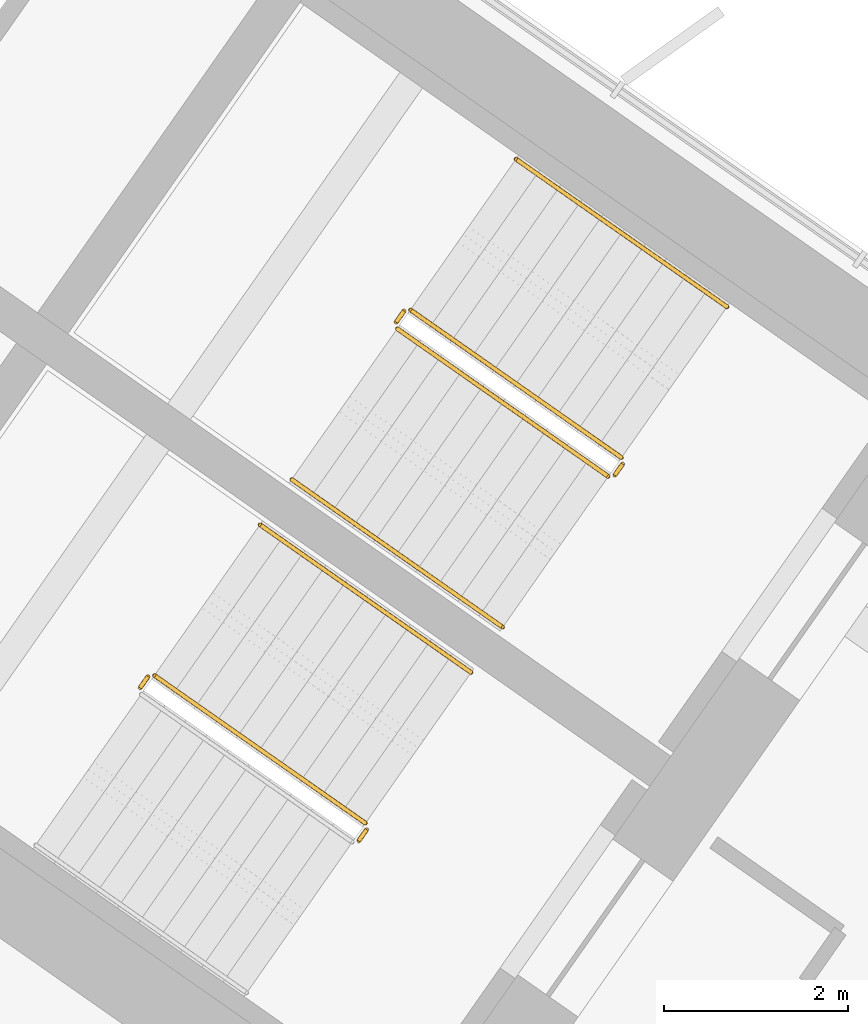
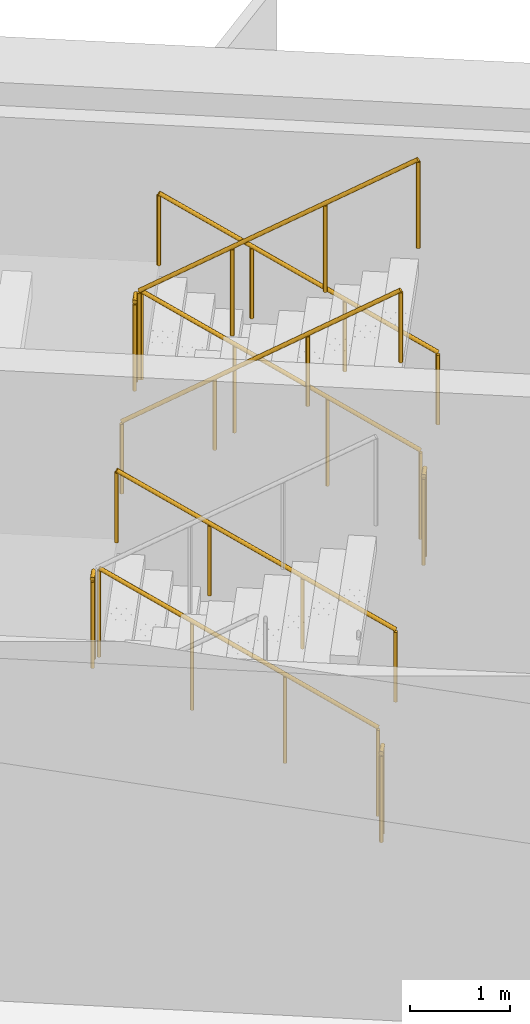
# One storey, part 20 of 21: 10 railings.
"""IFC4 building model written with IfcOpenShell, lengths in metres."""

from ifc_helpers import new_model, si_unit, direction, frame, origin, origin_2d, place, context, subcontext, project, spatial, circle, extrude, material, type_object, element, save


model = new_model("IFC4")

# Units and contexts
model_context = context("Model", 3, precision=1e-05, world=origin(), true_north=direction((0.0, 1.0)))
body_context = subcontext(model_context, "Body", "Model", "MODEL_VIEW")
ifc_project = project(units=[si_unit("LENGTHUNIT", "METRE"), si_unit("AREAUNIT", "SQUARE_METRE"), si_unit("VOLUMEUNIT", "CUBIC_METRE"), si_unit("PLANEANGLEUNIT", "RADIAN"), si_unit("MASSUNIT", "GRAM", prefix="KILO")], contexts=[model_context])

# Site, building, storey
site_placement = place(None, origin())
site = spatial("IfcSite", under=ifc_project, at=site_placement, CompositionType="ELEMENT")
building_placement = place(site_placement, origin())
building = spatial("IfcBuilding", under=site, at=building_placement, Name="Tel Ilan Convention Tower", CompositionType="ELEMENT")
storey_placement = place(building_placement, frame((0.0, 0.0, 151.5)))
storey = spatial("IfcBuildingStorey", under=building, at=storey_placement, Name="L34", CompositionType="ELEMENT", Elevation=151.5)

# Railings
ifc_material_1 = material(Name="Stainless Steel Grade 316", Category="steel")
railing_type_1 = type_object("IfcRailingType", Name="Stainless Steel Stair Guard 1100 mm", PredefinedType="GUARDRAIL", material=ifc_material_1)
railing_1_placement = place(storey_placement, frame((23.6787109375, -7.8515625, 0.17724609375)))
element("IfcRailing", 1, at=railing_1_placement, inside=storey, type_object=railing_type_1, Name="L34 S3 stair guard 1", PredefinedType="GUARDRAIL", context=body_context, shape_type="SweptSolid", body=[
    extrude(circle(Radius=0.02392578125, at=origin_2d()), frame((0.0, 0.0, 1.076171875), z_axis=(-0.692084706163, 0.484621375041, 0.534940073605), x_axis=(-0.573591086599, -0.819141785879, 0.0)), (0.0, 0.0, 1.0), 3.313720703125),
    extrude(circle(Radius=0.02099609375, at=origin_2d()), origin(), (0.0, 0.0, 1.0), 1.052001953125),
    extrude(circle(Radius=0.02099609375, at=origin_2d()), frame((-0.764404296875, 0.535400390625, 0.5908203125)), (0.0, 0.0, 1.0), 1.052001953125),
    extrude(circle(Radius=0.02099609375, at=origin_2d()), frame((-1.529052734375, 1.070556640625, 1.181884765625)), (0.0, 0.0, 1.0), 1.052001953125),
    extrude(circle(Radius=0.02099609375, at=origin_2d()), frame((-2.29345703125, 1.60595703125, 1.772705078125)), (0.0, 0.0, 1.0), 1.052001953125),
])
railing_2_placement = place(storey_placement, frame((21.3154296875, -6.2578125, 1.949951171875)))
element("IfcRailing", 2, at=railing_2_placement, inside=storey, type_object=railing_type_1, Name="L34 S3 stair guard 2", PredefinedType="GUARDRAIL", context=body_context, shape_type="SweptSolid", body=[
    extrude(circle(Radius=0.02392578125, at=origin_2d()), frame((0.0, 0.0, 1.076171875), z_axis=(-0.573353020881, -0.819308436089, 0.0), x_axis=(0.819308436089, -0.573353020881, 0.0)), (0.0, 0.0, 1.0), 0.14990234375),
    extrude(circle(Radius=0.02099609375, at=origin_2d()), origin(), (0.0, 0.0, 1.0), 1.052001953125),
    extrude(circle(Radius=0.02099609375, at=origin_2d()), frame((-0.0859375, -0.122802734375, 0.0)), (0.0, 0.0, 1.0), 1.052001953125),
])
railing_3_placement = place(storey_placement, frame((21.24169921875, -6.4501953125, 2.127197265625)))
element("IfcRailing", 3, at=railing_3_placement, inside=storey, type_object=railing_type_1, Name="L34 S3 stair guard 3", PredefinedType="GUARDRAIL", context=body_context, shape_type="SweptSolid", body=[
    extrude(circle(Radius=0.02392578125, at=origin_2d()), frame((0.0, 0.0, 1.076171875), z_axis=(0.692098378994, -0.484653031975, 0.534893701956), x_axis=(0.573608623498, 0.819129505664, 0.0)), (0.0, 0.0, 1.0), 3.314208984375),
    extrude(circle(Radius=0.02099609375, at=origin_2d()), origin(), (0.0, 0.0, 1.0), 1.052001953125),
    extrude(circle(Radius=0.02099609375, at=origin_2d()), frame((0.7646484375, -0.535400390625, 0.5908203125)), (0.0, 0.0, 1.0), 1.052001953125),
    extrude(circle(Radius=0.02099609375, at=origin_2d()), frame((1.529052734375, -1.07080078125, 1.181884765625)), (0.0, 0.0, 1.0), 1.052001953125),
    extrude(circle(Radius=0.02099609375, at=origin_2d()), frame((2.293701171875, -1.606201171875, 1.772705078125)), (0.0, 0.0, 1.0), 1.052001953125),
])
railing_4_placement = place(storey_placement, frame((23.691162109375, -7.921142578125, 0.0)))
element("IfcRailing", 4, at=railing_4_placement, inside=storey, type_object=railing_type_1, Name="L34 S3 stair guard 4", PredefinedType="GUARDRAIL", context=body_context, shape_type="SweptSolid", body=[
    extrude(circle(Radius=0.02392578125, at=origin_2d()), frame((0.0, 0.0, 1.076171875), z_axis=(-0.574444878118, -0.818543268254, 0.0), x_axis=(0.818543268254, -0.574444878118, 0.0)), (0.0, 0.0, 1.0), 0.150146484375),
    extrude(circle(Radius=0.02099609375, at=origin_2d()), origin(), (0.0, 0.0, 1.0), 1.052001953125),
    extrude(circle(Radius=0.02099609375, at=origin_2d()), frame((-0.086181640625, -0.122802734375, 0.0)), (0.0, 0.0, 1.0), 1.052001953125),
])
railing_5_placement = place(storey_placement, frame((20.89697265625, -11.824462890625, 0.17724609375)))
element("IfcRailing", 5, at=railing_5_placement, inside=storey, type_object=railing_type_1, Name="L34 S4 stair guard 1", PredefinedType="GUARDRAIL", context=body_context, shape_type="SweptSolid", body=[
    extrude(circle(Radius=0.02392578125, at=origin_2d()), frame((0.0, 0.0, 1.076171875), z_axis=(-0.692123088272, 0.484596665743, 0.534912798717), x_axis=(-0.573550118428, -0.819170471667, 0.0)), (0.0, 0.0, 1.0), 3.31396484375),
    extrude(circle(Radius=0.02099609375, at=origin_2d()), origin(), (0.0, 0.0, 1.0), 1.052001953125),
    extrude(circle(Radius=0.02099609375, at=origin_2d()), frame((-0.7646484375, 0.535400390625, 0.5908203125)), (0.0, 0.0, 1.0), 1.052001953125),
    extrude(circle(Radius=0.02099609375, at=origin_2d()), frame((-1.529052734375, 1.070556640625, 1.181884765625)), (0.0, 0.0, 1.0), 1.052001953125),
    extrude(circle(Radius=0.02099609375, at=origin_2d()), frame((-2.293701171875, 1.60595703125, 1.772705078125)), (0.0, 0.0, 1.0), 1.052001953125),
])
for number, where, name in (
    (6, (18.53369140625, -10.230712890625, 1.949951171875), "L34 S4 stair guard 2"),
    (7, (20.9091796875, -11.89404296875, 0.0), "L34 S4 stair guard 4"),
):
    element("IfcRailing", number, at=place(storey_placement, frame(where)), inside=storey, type_object=railing_type_1, Name=name, PredefinedType="GUARDRAIL", context=body_context, shape_type="SweptSolid", body=[
        extrude(circle(Radius=0.02392578125, at=origin_2d()), frame((0.0, 0.0, 1.076171875), z_axis=(-0.573353020881, -0.819308436089, 0.0), x_axis=(0.819308436089, -0.573353020881, 0.0)), (0.0, 0.0, 1.0), 0.14990234375),
        extrude(circle(Radius=0.02099609375, at=origin_2d()), origin(), (0.0, 0.0, 1.0), 1.052001953125),
        extrude(circle(Radius=0.02099609375, at=origin_2d()), frame((-0.0859375, -0.122802734375, 0.0)), (0.0, 0.0, 1.0), 1.052001953125),
    ])
ifc_material_2 = material(Name="Stainless Steel Grade 316", Category="steel")
railing_type_2 = type_object("IfcRailingType", Name="Stainless Steel Stair Handrail 900 mm", PredefinedType="HANDRAIL", material=ifc_material_2)
railing_6_placement = place(storey_placement, frame((24.825927734375, -6.213134765625, 0.17724609375)))
element("IfcRailing", 8, at=railing_6_placement, inside=storey, type_object=railing_type_2, Name="L34 S3 stair handrail 1", PredefinedType="HANDRAIL", context=body_context, shape_type="SweptSolid", body=[
    extrude(circle(Radius=0.02392578125, at=origin_2d()), frame((0.0, 0.0, 0.8759765625), z_axis=(-0.692123088272, 0.484596665743, 0.534912798717), x_axis=(-0.573550118428, -0.819170471667, 0.0)), (0.0, 0.0, 1.0), 3.31396484375),
    extrude(circle(Radius=0.02099609375, at=origin_2d()), origin(), (0.0, 0.0, 1.0), 0.851806640625),
    extrude(circle(Radius=0.02099609375, at=origin_2d()), frame((-0.7646484375, 0.535400390625, 0.5908203125)), (0.0, 0.0, 1.0), 0.851806640625),
    extrude(circle(Radius=0.02099609375, at=origin_2d()), frame((-1.529052734375, 1.070556640625, 1.181884765625)), (0.0, 0.0, 1.0), 0.851806640625),
    extrude(circle(Radius=0.02099609375, at=origin_2d()), frame((-2.293701171875, 1.60595703125, 1.772705078125)), (0.0, 0.0, 1.0), 0.851806640625),
])
railing_7_placement = place(storey_placement, frame((20.0947265625, -8.088623046875, 2.127197265625)))
element("IfcRailing", 9, at=railing_7_placement, inside=storey, type_object=railing_type_2, Name="L34 S3 stair handrail 2", PredefinedType="HANDRAIL", context=body_context, shape_type="SweptSolid", body=[
    extrude(circle(Radius=0.02392578125, at=origin_2d()), frame((0.0, 0.0, 0.8759765625), z_axis=(0.692084706163, -0.484621375041, 0.534940073605), x_axis=(0.573591086599, 0.819141785879, 0.0)), (0.0, 0.0, 1.0), 3.313720703125),
    extrude(circle(Radius=0.02099609375, at=origin_2d()), origin(), (0.0, 0.0, 1.0), 0.851806640625),
    extrude(circle(Radius=0.02099609375, at=origin_2d()), frame((0.764404296875, -0.535400390625, 0.5908203125)), (0.0, 0.0, 1.0), 0.851806640625),
    extrude(circle(Radius=0.02099609375, at=origin_2d()), frame((1.529052734375, -1.070556640625, 1.181884765625)), (0.0, 0.0, 1.0), 0.851806640625),
    extrude(circle(Radius=0.02099609375, at=origin_2d()), frame((2.29345703125, -1.60595703125, 1.772705078125)), (0.0, 0.0, 1.0), 0.851806640625),
])
railing_8_placement = place(storey_placement, frame((22.044189453125, -10.18603515625, 0.17724609375)))
element("IfcRailing", 10, at=railing_8_placement, inside=storey, type_object=railing_type_2, Name="L34 S4 stair handrail 1", PredefinedType="HANDRAIL", context=body_context, shape_type="SweptSolid", body=[
    extrude(circle(Radius=0.02392578125, at=origin_2d()), frame((0.0, 0.0, 0.8759765625), z_axis=(-0.692123088272, 0.484596665743, 0.534912798717), x_axis=(-0.573550118428, -0.819170471667, 0.0)), (0.0, 0.0, 1.0), 3.31396484375),
    extrude(circle(Radius=0.02099609375, at=origin_2d()), origin(), (0.0, 0.0, 1.0), 0.851806640625),
    extrude(circle(Radius=0.02099609375, at=origin_2d()), frame((-0.7646484375, 0.535400390625, 0.5908203125)), (0.0, 0.0, 1.0), 0.851806640625),
    extrude(circle(Radius=0.02099609375, at=origin_2d()), frame((-1.529052734375, 1.070556640625, 1.181884765625)), (0.0, 0.0, 1.0), 0.851806640625),
    extrude(circle(Radius=0.02099609375, at=origin_2d()), frame((-2.293701171875, 1.60595703125, 1.772705078125)), (0.0, 0.0, 1.0), 0.851806640625),
])

save(model, "model.ifc")
